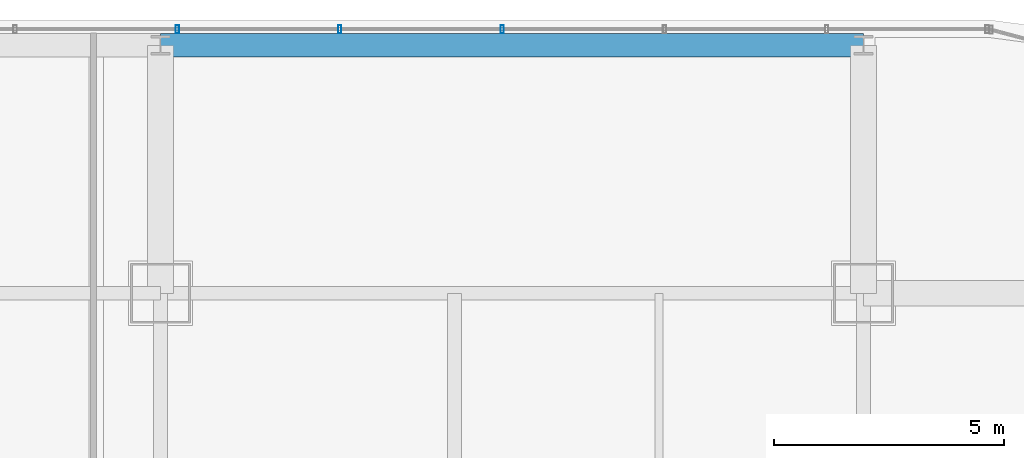
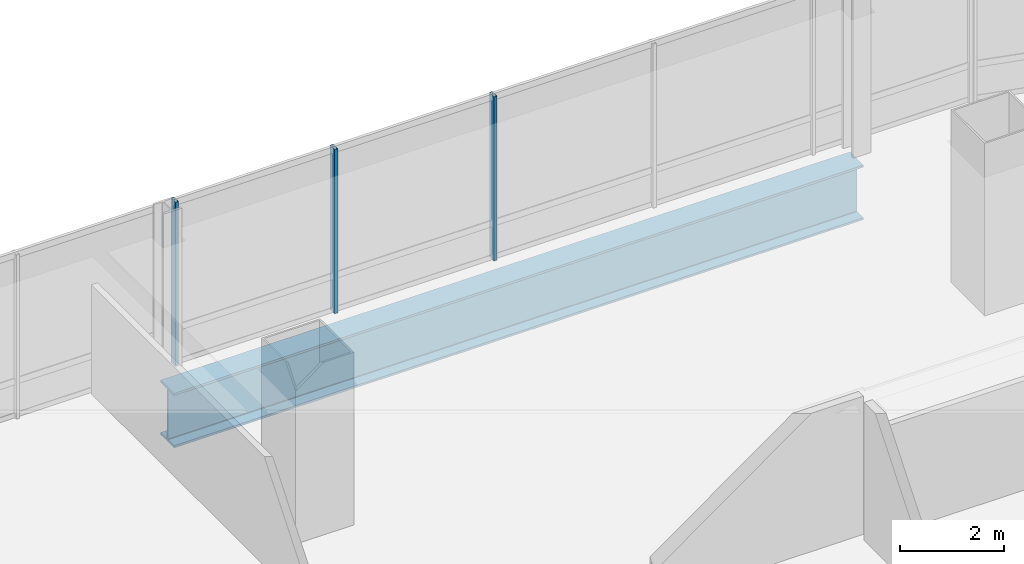
# One storey, part 29 of 39: 3 members, 1 beam, 1 element without a shape of its own.
"""IFC4 building model written with IfcOpenShell, lengths in metres."""

from ifc_helpers import new_model, si_unit, direction, frame, origin, origin_2d, place, context, subcontext, project, spatial, hollow_rectangle, i_section, extrude, material, material_profile, profile_set, type_object, element, aggregate, save


model = new_model("IFC4")

# Units and contexts
model_context = context("Model", 3, precision=1e-05, world=origin(), true_north=direction((0.0, 1.0)))
body_context = subcontext(model_context, "Body", "Model", "MODEL_VIEW")
ifc_project = project(units=[si_unit("LENGTHUNIT", "METRE"), si_unit("AREAUNIT", "SQUARE_METRE"), si_unit("VOLUMEUNIT", "CUBIC_METRE"), si_unit("PLANEANGLEUNIT", "RADIAN"), si_unit("MASSUNIT", "GRAM", prefix="KILO")], contexts=[model_context])

# Site, building, storey
site_placement = place(None, origin())
site = spatial("IfcSite", under=ifc_project, at=site_placement, CompositionType="ELEMENT")
building_placement = place(site_placement, origin())
building = spatial("IfcBuilding", under=site, at=building_placement, Name="Punatoya Terracotta Tower", CompositionType="ELEMENT")
storey_placement = place(building_placement, frame((0.0, 0.0, 275.699951171875)))
storey = spatial("IfcBuildingStorey", under=building, at=storey_placement, Name="L65", CompositionType="ELEMENT", Elevation=275.699951171875)

# Beam
ifc_material_1 = material(Name="Steel S460", Category="steel")
ifc_material_profile_1 = material_profile(ifc_material_1, i_section(OverallWidth=0.52001953125, OverallDepth=1.280029296875, WebThickness=0.031982421875, FlangeThickness=0.050048828125, FilletRadius=0.01806640625, at=origin_2d()))
ifc_profile_set_1 = profile_set([ifc_material_profile_1], Name="Steel S460")
beam_type = type_object("IfcBeamType", Name="BM-TG-NCK", PredefinedType="BEAM", material=ifc_profile_set_1)
beam_placement = place(storey_placement, frame((3.800048828125, 22.89990234375, -0.83984375), z_axis=(1.0, 0.0, 0.0), x_axis=(0.0, 1.0, 0.0)))
element("IfcBeam", 1, at=beam_placement, inside=storey, type_object=beam_type, Name="BM-L65-PER-N3", PredefinedType="BEAM", context=body_context, shape_type="SweptSolid", body=[
    extrude(i_section(OverallWidth=0.52001953125, OverallDepth=1.280029296875, WebThickness=0.031982421875, FlangeThickness=0.050048828125, FilletRadius=0.01806640625, at=origin_2d()), origin(), (0.0, 0.0, 1.0), 15.300048828125),
])

# Curtain wall, members
ifc_material_2 = material(Name="Aluminium 6063-T6 + Double Low-E Glass", Category="aluminium")
curtain_wall_type = type_object("IfcCurtainWallType", Name="CW-M3", PredefinedType="NOTDEFINED", material=ifc_material_2)
curtain_wall_placement = place(storey_placement, origin())
curtain_wall = element("IfcCurtainWall", 2, at=curtain_wall_placement, inside=storey, type_object=curtain_wall_type, Name="L65 Curtain Wall CW-L65-N09-1", PredefinedType="NOTDEFINED")
ifc_material_3 = material(Name="Aluminium 6063-T6", Category="aluminium")
ifc_material_profile_2 = material_profile(ifc_material_3, hollow_rectangle(XDim=0.070068359375, YDim=0.179931640625, WallThickness=0.00390625, at=origin_2d()))
ifc_profile_set_2 = profile_set([ifc_material_profile_2], Name="Aluminium 6063-T6")
member_type = type_object("IfcMemberType", Name="CW-MUL-M3", PredefinedType="MULLION", material=ifc_profile_set_2)
member_1_placement = place(storey_placement, frame((11.235107421875, 23.25, 0.0), z_axis=(0.0, 0.0, 1.0), x_axis=(1.0, 0.0, 0.0)))
member_1 = element("IfcMember", 3, at=member_1_placement, type_object=member_type, Name="CW-L65-N09-1 Mullion 03", PredefinedType="MULLION", context=body_context, shape_type="SweptSolid", body=[
    extrude(hollow_rectangle(XDim=0.070068359375, YDim=0.179931640625, WallThickness=0.00390625, at=origin_2d()), origin(), (0.0, 0.0, 1.0), 3.85009765625),
])
member_2_placement = place(storey_placement, frame((7.700927734375, 23.25, 0.0), z_axis=(0.0, 0.0, 1.0), x_axis=(1.0, 0.0, 0.0)))
member_2 = element("IfcMember", 4, at=member_2_placement, type_object=member_type, Name="CW-L65-N09-1 Mullion 04", PredefinedType="MULLION", context=body_context, shape_type="SweptSolid", body=[
    extrude(hollow_rectangle(XDim=0.070068359375, YDim=0.179931640625, WallThickness=0.00390625, at=origin_2d()), origin(), (0.0, 0.0, 1.0), 3.85009765625),
])
member_3_placement = place(storey_placement, frame((4.1669921875, 23.25, 0.0), z_axis=(0.0, 0.0, 1.0), x_axis=(1.0, 0.0, 0.0)))
member_3 = element("IfcMember", 5, at=member_3_placement, type_object=member_type, Name="CW-L65-N09-1 Mullion 05", PredefinedType="MULLION", context=body_context, shape_type="SweptSolid", body=[
    extrude(hollow_rectangle(XDim=0.070068359375, YDim=0.179931640625, WallThickness=0.00390625, at=origin_2d()), origin(), (0.0, 0.0, 1.0), 3.85009765625),
])
aggregate(curtain_wall, [member_1, member_2, member_3])

save(model, "model.ifc")
